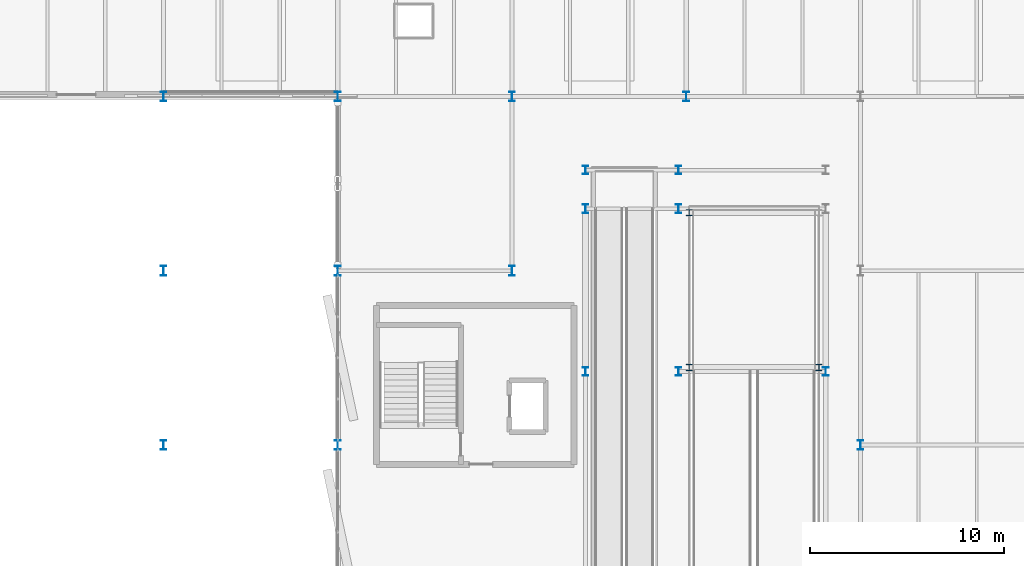
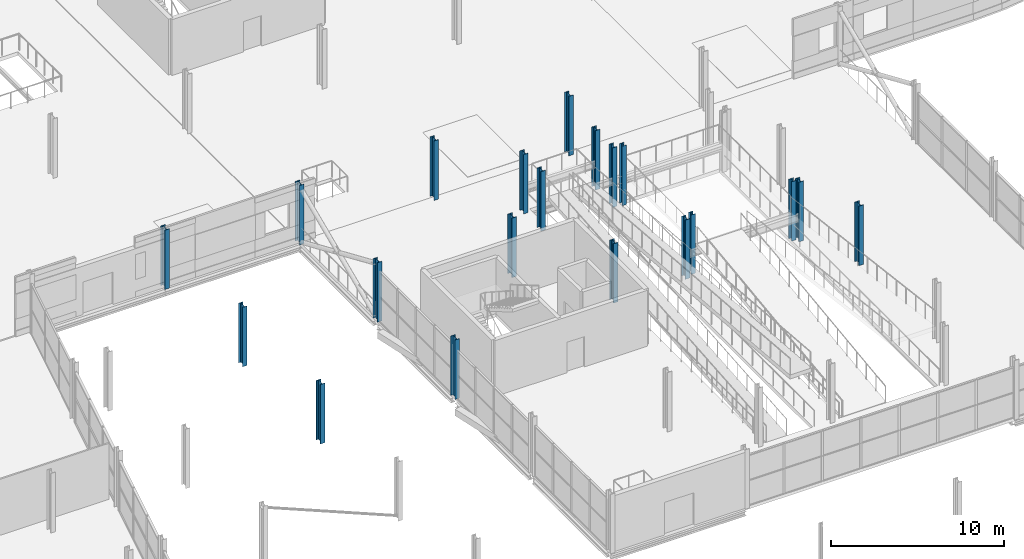
# One storey, part 12 of 140: 20 columns.
"""IFC4 building model written with IfcOpenShell, lengths in metres."""

from ifc_helpers import new_model, si_unit, direction, frame, origin, origin_2d, place, context, subcontext, project, spatial, i_section, extrude, material, material_profile, profile_set, type_object, element, save


model = new_model("IFC4")

# Units and contexts
model_context = context("Model", 3, precision=1e-05, world=origin(), true_north=direction((0.0, 1.0)))
body_context = subcontext(model_context, "Body", "Model", "MODEL_VIEW")
ifc_project = project(units=[si_unit("LENGTHUNIT", "METRE"), si_unit("AREAUNIT", "SQUARE_METRE"), si_unit("VOLUMEUNIT", "CUBIC_METRE"), si_unit("PLANEANGLEUNIT", "RADIAN"), si_unit("MASSUNIT", "GRAM", prefix="KILO")], contexts=[model_context])

# Site, building, storey
site_placement = place(None, origin())
site = spatial("IfcSite", under=ifc_project, at=site_placement, CompositionType="ELEMENT")
building_placement = place(site_placement, origin())
building = spatial("IfcBuilding", under=site, at=building_placement, Name="Deido Ridge Mobility Hub", CompositionType="ELEMENT")
storey_placement = place(building_placement, origin())
storey = spatial("IfcBuildingStorey", under=building, at=storey_placement, Name="L00", CompositionType="ELEMENT", Elevation=0.0)

# Columns
ifc_material = material(Name="Steel S355J2 EN 10025-2", Category="steel")
ifc_material_profile_1 = material_profile(ifc_material, i_section(OverallWidth=0.300048828125, OverallDepth=0.320068359375, WebThickness=0.011474609375, FlangeThickness=0.0205078125, FilletRadius=0.027099609375, at=origin_2d()), Name="HEB 320")
ifc_profile_set_1 = profile_set([ifc_material_profile_1], Name="Steel S355J2 EN 10025-2")
column_type_1 = type_object("IfcColumnType", Name="COL-HEB320", PredefinedType="COLUMN", material=ifc_profile_set_1)
for number, where, z_axis, x_axis, name in (
    (1, (90.14990234375, 67.0, 0.0), (0.0, 0.0, 1.0), (1.0, 0.0, 0.0), "Structural column C9"),
    (2, (90.14990234375, 75.0, 0.0), (0.0, 0.0, 1.0), (1.0, 0.0, 0.0), "Structural column C9"),
    (3, (96.85009765625, 67.0, 0.0), (0.0, 0.0, 1.0), (1.0, 0.0, 0.0), "Structural column C9"),
):
    element("IfcColumn", number, at=place(storey_placement, frame(where, z_axis=z_axis, x_axis=x_axis)), inside=storey, type_object=column_type_1, Name=name, PredefinedType="COLUMN", context=body_context, shape_type="SweptSolid", body=[
        extrude(i_section(OverallWidth=0.300048828125, OverallDepth=0.320068359375, WebThickness=0.011474609375, FlangeThickness=0.0205078125, FilletRadius=0.027099609375, at=origin_2d()), origin(), (0.0, 0.0, 1.0), 4.199951171875),
    ])
ifc_material_profile_2 = material_profile(ifc_material, i_section(OverallWidth=0.300048828125, OverallDepth=0.449951171875, WebThickness=0.013916015625, FlangeThickness=0.02587890625, FilletRadius=0.027099609375, at=origin_2d()), Name="HEB 450")
ifc_profile_set_2 = profile_set([ifc_material_profile_2], Name="Steel S355J2 EN 10025-2")
column_type_2 = type_object("IfcColumnType", Name="COL-HEB450", PredefinedType="COLUMN", material=ifc_profile_set_2)
for number, where, z_axis, x_axis, name in (
    (4, (84.800048828125, 66.800048828125, 0.0), (0.0, 0.0, 1.0), (1.0, 0.0, 0.0), "Structural column C6"),
    (5, (84.800048828125, 75.199951171875, 0.0), (0.0, 0.0, 1.0), (1.0, 0.0, 0.0), "Structural column C6"),
    (6, (84.800048828125, 77.199951171875, 0.0), (0.0, 0.0, 1.0), (1.0, 0.0, 0.0), "Structural column C6"),
    (7, (89.60009765625, 66.800048828125, 0.0), (0.0, 0.0, 1.0), (1.0, 0.0, 0.0), "Structural column C6"),
    (8, (89.60009765625, 75.199951171875, 0.0), (0.0, 0.0, 1.0), (1.0, 0.0, 0.0), "Structural column C6"),
    (9, (89.60009765625, 77.199951171875, 0.0), (0.0, 0.0, 1.0), (1.0, 0.0, 0.0), "Structural column C6"),
    (10, (97.199951171875, 66.800048828125, 0.0), (0.0, 0.0, 1.0), (1.0, 0.0, 0.0), "Structural column C6"),
):
    element("IfcColumn", number, at=place(storey_placement, frame(where, z_axis=z_axis, x_axis=x_axis)), inside=storey, type_object=column_type_2, Name=name, PredefinedType="COLUMN", context=body_context, shape_type="SweptSolid", body=[
        extrude(i_section(OverallWidth=0.300048828125, OverallDepth=0.449951171875, WebThickness=0.013916015625, FlangeThickness=0.02587890625, FilletRadius=0.027099609375, at=origin_2d()), origin(), (0.0, 0.0, 1.0), 4.199951171875),
    ])
ifc_material_profile_3 = material_profile(ifc_material, i_section(OverallWidth=0.300048828125, OverallDepth=0.5, WebThickness=0.014404296875, FlangeThickness=0.028076171875, FilletRadius=0.027099609375, at=origin_2d()), Name="HEB 500")
ifc_profile_set_3 = profile_set([ifc_material_profile_3], Name="Steel S355J2 EN 10025-2")
column_type_3 = type_object("IfcColumnType", Name="COL-HEB500", PredefinedType="COLUMN", material=ifc_profile_set_3)
for number, where, z_axis, x_axis, name in (
    (11, (72.0, 63.0, 0.0), (0.0, 0.0, 1.0), (1.0, 0.0, 0.0), "Structural column C5"),
    (12, (72.0, 72.0, 0.0), (0.0, 0.0, 1.0), (1.0, 0.0, 0.0), "Structural column C5"),
    (13, (72.0, 81.0, 0.0), (0.0, 0.0, 1.0), (1.0, 0.0, 0.0), "Structural column C5"),
    (14, (81.0, 72.0, 0.0), (0.0, 0.0, 1.0), (1.0, 0.0, 0.0), "Structural column C5"),
    (15, (81.0, 81.0, 0.0), (0.0, 0.0, 1.0), (1.0, 0.0, 0.0), "Structural column C5"),
    (16, (99.0, 63.0, 0.0), (0.0, 0.0, 1.0), (1.0, 0.0, 0.0), "Structural column C5"),
    (17, (63.0, 63.0, 0.0), (0.0, 0.0, 1.0), (1.0, 0.0, 0.0), "Structural column C5"),
    (18, (63.0, 72.0, 0.0), (0.0, 0.0, 1.0), (1.0, 0.0, 0.0), "Structural column C5"),
    (19, (63.0, 81.0, 0.0), (0.0, 0.0, 1.0), (1.0, 0.0, 0.0), "Structural column C5"),
    (20, (90.0, 81.0, 0.0), (0.0, 0.0, 1.0), (1.0, 0.0, 0.0), "Structural column C5"),
):
    element("IfcColumn", number, at=place(storey_placement, frame(where, z_axis=z_axis, x_axis=x_axis)), inside=storey, type_object=column_type_3, Name=name, PredefinedType="COLUMN", context=body_context, shape_type="SweptSolid", body=[
        extrude(i_section(OverallWidth=0.300048828125, OverallDepth=0.5, WebThickness=0.014404296875, FlangeThickness=0.028076171875, FilletRadius=0.027099609375, at=origin_2d()), origin(), (0.0, 0.0, 1.0), 4.199951171875),
    ])

save(model, "model.ifc")
